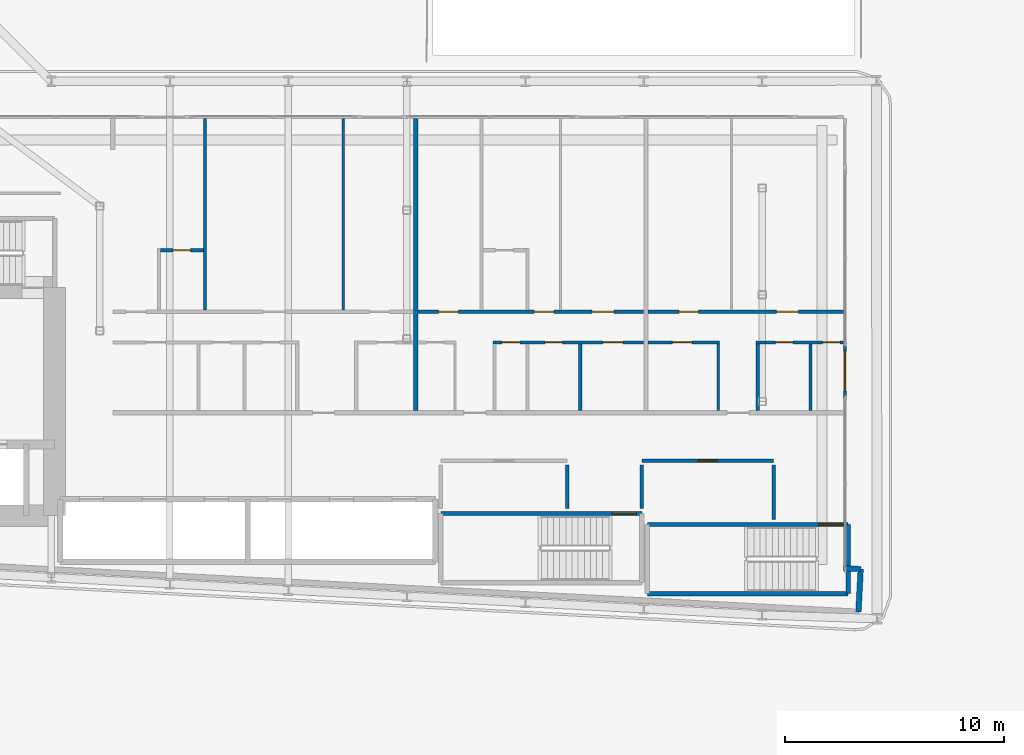
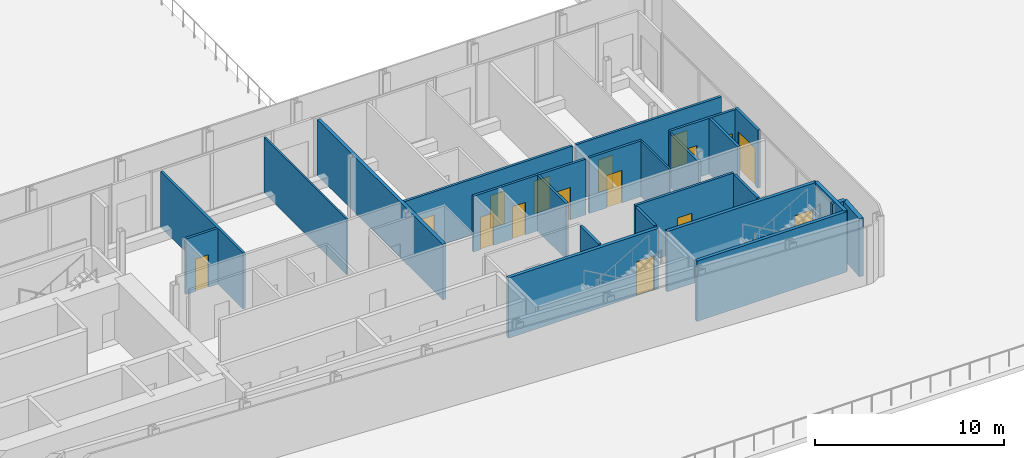
# One storey, part 15 of 27: 24 walls, 16 doors, 16 openings.
"""IFC4 building model written with IfcOpenShell, lengths in metres."""

import ifcopenshell
import ifcopenshell.guid

model = None  # the IFC model being written
_history = None  # IfcOwnerHistory: only IFC2X3 demands one
_inside = {}  # id of a spatial element -> (the spatial element, [elements in it])
_under = {}  # id of a project, library or spatial element -> (it, [spatial elements below it])
_declared = {}  # id of a project -> (the project, [libraries it declares])
_typed = {}  # id of a type object -> (the type object, [elements of that type])
_made_of = {}  # id of a material, layer set ... -> (it, [elements and type objects made of it])


def new_model(schema):
    """Start an empty IFC model of exactly this schema.

    Asked for "IFC4X3", IfcOpenShell would pick the latest addendum, in which some entities
    have other attributes; the version numbers below select the first issue.
    IFC2X3 requires an IfcOwnerHistory on every rooted entity: one is made here for all.
    """
    global model, _history
    if schema == "IFC4X3":
        model = ifcopenshell.file(schema_version=(4, 3, 0, 0))
    else:
        model = ifcopenshell.file(schema=schema)
    _inside.clear()
    _under.clear()
    _declared.clear()
    _typed.clear()
    _made_of.clear()
    _history = None
    if model.schema == "IFC2X3":
        org = make("IfcOrganization", Name="unknown")
        user = make(
            "IfcPersonAndOrganization",
            ThePerson=make("IfcPerson", FamilyName="unknown"),
            TheOrganization=org,
        )
        app = make(
            "IfcApplication",
            ApplicationDeveloper=org,
            Version="unknown",
            ApplicationFullName="unknown",
            ApplicationIdentifier="unknown",
        )
        _history = make(
            "IfcOwnerHistory",
            OwningUser=user,
            OwningApplication=app,
            ChangeAction="ADDED",
            CreationDate=0,
        )
    return model


def make(cls, **values):
    """One entity of the class cls with the attributes given. An attribute that is None is left unset."""
    return model.create_entity(
        cls, **{name: value for name, value in values.items() if value is not None}
    )


def rooted(cls, **values):
    """An entity with a GlobalId (a new one), such as an element, a storey or a relation."""
    return make(cls, GlobalId=ifcopenshell.guid.new(), OwnerHistory=_history, **values)


def si_unit(unit_type, name, prefix=None):
    """IfcSIUnit, for example si_unit("LENGTHUNIT", "METRE", prefix="MILLI")."""
    return make("IfcSIUnit", UnitType=unit_type, Prefix=prefix, Name=name)


def assignment(units):
    """IfcUnitAssignment: the units of a project."""
    return None if units is None else make("IfcUnitAssignment", Units=units)


def point(xyz):
    """IfcCartesianPoint."""
    return None if xyz is None else make("IfcCartesianPoint", Coordinates=xyz)


def direction(xyz):
    """IfcDirection."""
    return None if xyz is None else make("IfcDirection", DirectionRatios=xyz)


def frame(location, z_axis=None, x_axis=None):
    """IfcAxis2Placement3D, a coordinate frame: its origin and axes. An axis left out is left unset."""
    return make(
        "IfcAxis2Placement3D",
        Location=point(location),
        Axis=direction(z_axis),
        RefDirection=direction(x_axis),
    )


def frame_2d(location, x_axis=None):
    """IfcAxis2Placement2D, a coordinate frame in the plane: its origin and x axis."""
    return make(
        "IfcAxis2Placement2D", Location=point(location), RefDirection=direction(x_axis)
    )


def origin():
    """The frame at (0, 0, 0) with its axes left unset."""
    return frame((0.0, 0.0, 0.0))


def place(relative_to, where):
    """IfcLocalPlacement: puts the frame where relative to a parent placement (None: the world)."""
    return make(
        "IfcLocalPlacement", PlacementRelTo=relative_to, RelativePlacement=where
    )


def context(
    kind, dimensions, precision=None, world=None, true_north=None, identifier=None
):
    """IfcGeometricRepresentationContext, for example the 3D "Model" context."""
    return make(
        "IfcGeometricRepresentationContext",
        ContextIdentifier=identifier,
        ContextType=kind,
        CoordinateSpaceDimension=dimensions,
        Precision=precision,
        WorldCoordinateSystem=world,
        TrueNorth=true_north,
    )


def subcontext(parent, identifier, kind, view, scale=None):
    """IfcGeometricRepresentationSubContext, for example "Body" below "Model"."""
    return make(
        "IfcGeometricRepresentationSubContext",
        ContextIdentifier=identifier,
        ContextType=kind,
        ParentContext=parent,
        TargetScale=scale,
        TargetView=view,
    )


def project(units=None, contexts=None):
    """IfcProject with its units and contexts."""
    return rooted(
        "IfcProject",
        Name="project",
        RepresentationContexts=contexts,
        UnitsInContext=assignment(units),
    )


def spatial(cls, under=None, at=None, **own):
    """A site, building, storey or space (cls), placed at a placement, below another one or the project."""
    s = rooted(cls, ObjectPlacement=at, **own)
    if under is not None:
        _under.setdefault(under.id(), (under, []))[1].append(s)
    return s


def profile(cls, at=None, kind="AREA", **sizes):
    """A parametric profile (cls). Its sizes go by their IFC names, for example OverallWidth=200.0."""
    return make(cls, ProfileType=kind, Position=at, **sizes)


def rectangle(**sizes):
    """IfcRectangleProfileDef."""
    return profile("IfcRectangleProfileDef", **sizes)


def extrude(swept, where, along, depth):
    """IfcExtrudedAreaSolid: the profile swept, set in the frame where, extruded along a direction by depth."""
    return make(
        "IfcExtrudedAreaSolid",
        SweptArea=swept,
        Position=where,
        ExtrudedDirection=direction(along),
        Depth=depth,
    )


def shape(context_of_items, identifier, shape_type, items):
    """IfcShapeRepresentation: the items that make up one representation, for example the "Body"."""
    return make(
        "IfcShapeRepresentation",
        ContextOfItems=context_of_items,
        RepresentationIdentifier=identifier,
        RepresentationType=shape_type,
        Items=items,
    )


def source(mapping_origin, context_of_items, identifier, shape_type, items):
    """IfcRepresentationMap: a shape defined once, which mapped items show again and again."""
    return make(
        "IfcRepresentationMap",
        MappingOrigin=mapping_origin,
        MappedRepresentation=shape(context_of_items, identifier, shape_type, items),
    )


def transform(
    local_origin,
    x_axis=None,
    y_axis=None,
    z_axis=None,
    scale=None,
    scale2=None,
    scale3=None,
    uniform=True,
):
    """IfcCartesianTransformationOperator3D, or its non-uniform kind. x_axis, y_axis, z_axis: its Axis1, 2, 3."""
    if uniform:
        return make(
            "IfcCartesianTransformationOperator3D",
            Axis1=direction(x_axis),
            Axis2=direction(y_axis),
            LocalOrigin=point(local_origin),
            Scale=scale,
            Axis3=direction(z_axis),
        )
    return make(
        "IfcCartesianTransformationOperator3DnonUniform",
        Axis1=direction(x_axis),
        Axis2=direction(y_axis),
        LocalOrigin=point(local_origin),
        Scale=scale,
        Axis3=direction(z_axis),
        Scale2=scale2,
        Scale3=scale3,
    )


def mapped(mapping_source, mapping_target):
    """IfcMappedItem: shows the shape of a source again, moved by a transform."""
    return make(
        "IfcMappedItem", MappingSource=mapping_source, MappingTarget=mapping_target
    )


def material(Name=None, Category=None):
    """IfcMaterial."""
    return make("IfcMaterial", Name=Name, Category=Category)


def layer(
    of_material, thickness, ventilated=None, Name=None, Category=None, Priority=None
):
    """IfcMaterialLayer: one layer of a wall or slab, of a material (None: an air gap)."""
    return make(
        "IfcMaterialLayer",
        Material=of_material,
        LayerThickness=thickness,
        IsVentilated=ventilated,
        Name=Name,
        Category=Category,
        Priority=Priority,
    )


def layer_set(layers, Name=None):
    """IfcMaterialLayerSet."""
    return make("IfcMaterialLayerSet", MaterialLayers=layers, LayerSetName=Name)


def made_of(thing, what):
    """Note that an element or type object is made of a material, layer set ...; save() writes the relation."""
    if what is not None:
        _made_of.setdefault(what.id(), (what, []))[1].append(thing)
    return thing


def type_object(cls, material=None, **own):
    """A type object (cls), such as IfcWallType, which elements share."""
    return made_of(rooted(cls, **own), material)


def element(
    cls,
    number,
    at=None,
    inside=None,
    cuts=None,
    type_object=None,
    material=None,
    context=None,
    identifier="Body",
    shape_type=None,
    held_by="IfcProductDefinitionShape",
    body=None,
    shapes=None,
    **own,
):
    """One element of the class cls, such as IfcWall. Its Tag is "e" and its number.

    at: its placement. inside: the storey or other place that contains it. cuts: it is an
    opening in that element (IfcRelVoidsElement). A single representation is given by context,
    identifier, shape_type and body (its items); several are given by shapes. held_by: the class
    of the entity that holds the representations. save() writes the other relations.
    """
    e = rooted(cls, Tag="e%d" % number, ObjectPlacement=at, **own)
    if body is not None:
        shapes = [shape(context, identifier, shape_type, body)]
    if shapes is not None:
        e.Representation = make(held_by, Representations=shapes)
    if inside is not None:
        _inside.setdefault(inside.id(), (inside, []))[1].append(e)
    if cuts is not None:
        rooted(
            "IfcRelVoidsElement", RelatingBuildingElement=cuts, RelatedOpeningElement=e
        )
    if type_object is not None:
        _typed.setdefault(type_object.id(), (type_object, []))[1].append(e)
    return made_of(e, material)


def fill(opening, filler):
    """IfcRelFillsElement: the door or window that sits in an opening."""
    return rooted(
        "IfcRelFillsElement",
        RelatingOpeningElement=opening,
        RelatedBuildingElement=filler,
    )


def aggregate(whole, parts):
    """IfcRelAggregates: a whole, such as a stair, and the parts it consists of."""
    return rooted("IfcRelAggregates", RelatingObject=whole, RelatedObjects=parts)


def save(model, path):
    """Write the relations noted so far, then the file.

    IfcRelAggregates (storeys below a building ...), IfcRelContainedInSpatialStructure (elements
    in a storey), IfcRelDefinesByType, IfcRelAssociatesMaterial and IfcRelDeclares: one each for
    every whole, place, type object, material and project.
    """
    for whole, parts in _under.values():
        aggregate(whole, parts)
    for where, things in _inside.values():
        rooted(
            "IfcRelContainedInSpatialStructure",
            RelatedElements=things,
            RelatingStructure=where,
        )
    for kind, things in _typed.values():
        rooted("IfcRelDefinesByType", RelatedObjects=things, RelatingType=kind)
    for what, things in _made_of.values():
        rooted("IfcRelAssociatesMaterial", RelatedObjects=things, RelatingMaterial=what)
    for by, libraries in _declared.values():
        rooted("IfcRelDeclares", RelatingContext=by, RelatedDefinitions=libraries)
    model.write(path)


model = new_model("IFC4")

# Units and contexts
model_context = context("Model", 3, precision=1e-05, world=origin(), true_north=direction((0.0, 1.0)))
body_context = subcontext(model_context, "Body", "Model", "MODEL_VIEW")
ifc_project = project(units=[si_unit("LENGTHUNIT", "METRE"), si_unit("AREAUNIT", "SQUARE_METRE"), si_unit("VOLUMEUNIT", "CUBIC_METRE"), si_unit("PLANEANGLEUNIT", "RADIAN"), si_unit("MASSUNIT", "GRAM", prefix="KILO")], contexts=[model_context])

# Site, building, storey
site_placement = place(None, origin())
site = spatial("IfcSite", under=ifc_project, at=site_placement, CompositionType="ELEMENT")
building_placement = place(site_placement, origin())
building = spatial("IfcBuilding", under=site, at=building_placement, Name="Kheshtan School and Residences Tower", CompositionType="ELEMENT")
storey_placement = place(building_placement, frame((0.0, 0.0, 30.5)))
storey = spatial("IfcBuildingStorey", under=building, at=storey_placement, Name="L06", CompositionType="ELEMENT", Elevation=30.5)

# Walls
ifc_material_1 = material(Name="Concrete C40/50 with ceramic cladding and mineral wool insulation", Category="concrete")
ifc_layer_1 = layer(ifc_material_1, 0.25)
ifc_layer_set_1 = layer_set([ifc_layer_1], Name="External wall 250 ceramic clad")
wall_type_1 = type_object("IfcWallType", Name="External wall 250 ceramic clad", PredefinedType="SOLIDWALL", material=ifc_layer_set_1)
wall_1_placement = place(storey_placement, frame((89.10693359375, 23.407958984375, 0.0), z_axis=(0.0, 0.0, 1.0), x_axis=(0.998561284263, -0.053622398031, 0.0)))
element("IfcWall", 1, at=wall_1_placement, inside=storey, type_object=wall_type_1, Name="External wall L06 14", PredefinedType="SOLIDWALL", context=body_context, shape_type="SweptSolid", body=[
    extrude(rectangle(XDim=0.783203125, YDim=0.25, at=frame_2d((0.3916015625, 0.0))), origin(), (0.0, 0.0, 1.0), 3.75),
])
wall_2_placement = place(storey_placement, frame((89.888916015625, 23.365966796875, 0.0), z_axis=(0.0, 0.0, 1.0), x_axis=(-0.052841433274, -0.998602915542, 0.0)))
element("IfcWall", 2, at=wall_2_placement, inside=storey, type_object=wall_type_1, Name="External wall L06 15", PredefinedType="SOLIDWALL", context=body_context, shape_type="SweptSolid", body=[
    extrude(rectangle(XDim=1.94970703125, YDim=0.25, at=frame_2d((0.974853515625, 0.0))), origin(), (0.0, 0.0, 1.0), 3.75),
])

# Wall, opening, door
ifc_material_2 = material(Name="Aluminium frame wall with insulated infill", Category="aluminium")
ifc_layer_2 = layer(ifc_material_2, 0.14990234375)
ifc_layer_set_2 = layer_set([ifc_layer_2], Name="Glazing frame wall 150")
wall_type_2 = type_object("IfcWallType", Name="Glazing frame wall 150", PredefinedType="SOLIDWALL", material=ifc_layer_set_2)
wall_3_placement = place(storey_placement, frame((89.175048828125, 33.591064453125, 0.0), z_axis=(0.0, 0.0, 1.0), x_axis=(0.0, -1.0, 0.0)))
wall_3 = element("IfcWall", 3, at=wall_3_placement, inside=storey, type_object=wall_type_2, Name="Balcony door wall L06 13.2", PredefinedType="SOLIDWALL", context=body_context, shape_type="SweptSolid", body=[
    extrude(rectangle(XDim=2.400146484375, YDim=0.14990234375, at=frame_2d((1.2001953125, 0.0))), origin(), (0.0, 0.0, 1.0), 3.75),
])
opening_1_placement = place(wall_3_placement, frame((0.300048828125, 0.0, 0.0)))
opening_1 = element("IfcOpeningElement", 4, at=opening_1_placement, cuts=wall_3, Name="Opening BD", PredefinedType="OPENING", context=body_context, shape_type="SweptSolid", body=[
    extrude(rectangle(XDim=1.800048828125, YDim=2.39990234375, at=frame_2d((0.89990234375, 1.199951171875))), frame((0.0, 0.0849609375, 0.0), z_axis=(0.0, -1.0, 0.0), x_axis=(1.0, 0.0, 0.0)), (0.0, 0.0, 1.0), 0.169921875),
])
ifc_material_3 = material(Name="Clear low-e glass in thermally broken aluminium frame", Category="aluminium")
door_type_1 = type_object("IfcDoorType", Name="Balcony sliding door", OperationType="SLIDING_TO_LEFT", PredefinedType="DOOR", material=ifc_material_3)
shared_shape_1 = source(origin(), body_context, "Body", "SweptSolid", [
    extrude(rectangle(XDim=1.800048828125, YDim=2.39990234375, at=frame_2d((0.89990234375, 1.199951171875))), frame((0.0, 0.02490234375, 0.0), z_axis=(0.0, -1.0, 0.0), x_axis=(1.0, 0.0, 0.0)), (0.0, 0.0, 1.0), 0.050048828125),
])
door_1_placement = place(opening_1_placement, origin())
door_1 = element("IfcDoor", 5, at=door_1_placement, inside=storey, type_object=door_type_1, Name="Balcony door L06 13.2", OperationType="SLIDING_TO_LEFT", OverallHeight=2.39990234375, OverallWidth=1.800048828125, PredefinedType="DOOR", context=body_context, shape_type="MappedRepresentation", body=[
    mapped(shared_shape_1, transform((0.0, 0.0, 0.0), x_axis=(1.0, 0.0, 0.0), y_axis=(0.0, 1.0, 0.0), z_axis=(0.0, 0.0, 1.0), scale=1.0)),
])
fill(opening_1, door_1)

# Walls
ifc_material_4 = material(Name="Gypsum board on steel studs", Category="steel")
ifc_layer_3 = layer(ifc_material_4, 0.10009765625)
ifc_layer_set_3 = layer_set([ifc_layer_3], Name="Gypsum partition 100")
wall_type_3 = type_object("IfcWallType", Name="Gypsum partition 100", PredefinedType="PARTITIONING", material=ifc_layer_set_3)
wall_4_placement = place(storey_placement, frame((66.300048828125, 35.175048828125, 0.0), z_axis=(0.0, 0.0, 1.0), x_axis=(0.0, 1.0, 0.0)))
element("IfcWall", 6, at=wall_4_placement, inside=storey, type_object=wall_type_3, Name="Partition L06-055", PredefinedType="PARTITIONING", context=body_context, shape_type="SweptSolid", body=[
    extrude(rectangle(XDim=8.724853515625, YDim=0.10009765625, at=frame_2d((4.3623046875, 0.0))), origin(), (0.0, 0.0, 1.0), 3.60009765625),
])
wall_5_placement = place(storey_placement, frame((83.39990234375, 30.60009765625, 0.0), z_axis=(0.0, 0.0, 1.0), x_axis=(0.0, 1.0, 0.0)))
element("IfcWall", 7, at=wall_5_placement, inside=storey, type_object=wall_type_3, Name="Partition L06-073", PredefinedType="PARTITIONING", context=body_context, shape_type="SweptSolid", body=[
    extrude(rectangle(XDim=3.02490234375, YDim=0.10009765625, at=frame_2d((1.512451171875, 0.0))), origin(), (0.0, 0.0, 1.0), 3.60009765625),
])
ifc_material_5 = material(Name="Fire-board shaft wall system")
ifc_layer_4 = layer(ifc_material_5, 0.14990234375)
ifc_layer_set_4 = layer_set([ifc_layer_4], Name="Service room wall 150")
wall_type_4 = type_object("IfcWallType", Name="Service room wall 150", PredefinedType="PARTITIONING", material=ifc_layer_set_4)
wall_6_placement = place(storey_placement, frame((76.510009765625, 26.1201171875, 0.0), z_axis=(0.0, 0.0, 1.0), x_axis=(0.0, 1.0, 0.0)))
element("IfcWall", 8, at=wall_6_placement, inside=storey, type_object=wall_type_4, Name="Service room wall", PredefinedType="PARTITIONING", context=body_context, shape_type="SweptSolid", body=[
    extrude(rectangle(XDim=1.98486328125, YDim=0.14990234375, at=frame_2d((0.992431640625, 0.0))), origin(), (0.0, 0.0, 1.0), 3.89990234375),
])

# Wall, opening, door
wall_7_placement = place(storey_placement, frame((79.909912109375, 28.300048828125, 0.0), z_axis=(0.0, 0.0, 1.0), x_axis=(1.0, 0.0, 0.0)))
wall_7 = element("IfcWall", 9, at=wall_7_placement, inside=storey, type_object=wall_type_4, Name="Service room wall", PredefinedType="PARTITIONING", context=body_context, shape_type="SweptSolid", body=[
    extrude(rectangle(XDim=6.010009765625, YDim=0.14990234375, at=frame_2d((3.0048828125, 0.0))), origin(), (0.0, 0.0, 1.0), 3.89990234375),
])
opening_2_placement = place(wall_7_placement, frame((2.554931640625, 0.0, 0.0)))
opening_2 = element("IfcOpeningElement", 10, at=opening_2_placement, cuts=wall_7, Name="Opening SR90", PredefinedType="OPENING", context=body_context, shape_type="SweptSolid", body=[
    extrude(rectangle(XDim=0.89990234375, YDim=2.199951171875, at=frame_2d((0.449951171875, 1.10009765625))), frame((0.0, 0.0849609375, 0.0), z_axis=(0.0, -1.0, 0.0), x_axis=(1.0, 0.0, 0.0)), (0.0, 0.0, 1.0), 0.169921875),
])
ifc_material_6 = material(Name="Steel door leaf, galvanised", Category="steel")
door_type_2 = type_object("IfcDoorType", Name="Service room door 900 steel 90 min", OperationType="SINGLE_SWING_LEFT", PredefinedType="DOOR", material=ifc_material_6)
shared_shape_2 = source(origin(), body_context, "Body", "SweptSolid", [
    extrude(rectangle(XDim=0.89990234375, YDim=2.199951171875, at=frame_2d((0.449951171875, 1.10009765625))), frame((0.0, 0.02490234375, 0.0), z_axis=(0.0, -1.0, 0.0), x_axis=(1.0, 0.0, 0.0)), (0.0, 0.0, 1.0), 0.050048828125),
])
door_2_placement = place(opening_2_placement, origin())
door_2 = element("IfcDoor", 11, at=door_2_placement, inside=storey, type_object=door_type_2, Name="Service room door", OperationType="SINGLE_SWING_LEFT", OverallHeight=2.199951171875, OverallWidth=0.89990234375, PredefinedType="DOOR", context=body_context, shape_type="MappedRepresentation", body=[
    mapped(shared_shape_2, transform((0.0, 0.0, 0.0), x_axis=(1.0, 0.0, 0.0), y_axis=(0.0, 1.0, 0.0), z_axis=(0.0, 0.0, 1.0), scale=1.0)),
])
fill(opening_2, door_2)

# Walls
wall_8_placement = place(storey_placement, frame((79.909912109375, 26.1201171875, 0.0), z_axis=(0.0, 0.0, 1.0), x_axis=(0.0, 1.0, 0.0)))
element("IfcWall", 12, at=wall_8_placement, inside=storey, type_object=wall_type_4, Name="Service room wall", PredefinedType="PARTITIONING", context=body_context, shape_type="SweptSolid", body=[
    extrude(rectangle(XDim=1.98486328125, YDim=0.14990234375, at=frame_2d((0.992431640625, 0.0))), origin(), (0.0, 0.0, 1.0), 3.89990234375),
])
wall_9_placement = place(storey_placement, frame((85.919921875, 25.6201171875, 0.0), z_axis=(0.0, 0.0, 1.0), x_axis=(0.0, 1.0, 0.0)))
element("IfcWall", 13, at=wall_9_placement, inside=storey, type_object=wall_type_4, Name="Service room wall", PredefinedType="PARTITIONING", context=body_context, shape_type="SweptSolid", body=[
    extrude(rectangle(XDim=2.48486328125, YDim=0.14990234375, at=frame_2d((1.242431640625, 0.0))), origin(), (0.0, 0.0, 1.0), 3.89990234375),
])
ifc_material_7 = material(Name="Concrete C40/50", Category="concrete")
ifc_layer_5 = layer(ifc_material_7, 0.199951171875)
ifc_layer_set_5 = layer_set([ifc_layer_5], Name="Stair enclosure wall 200 Concrete C40/50")
wall_type_5 = type_object("IfcWallType", Name="Stair enclosure wall 200 Concrete C40/50", PredefinedType="SHEAR", material=ifc_layer_set_5)
wall_10_placement = place(storey_placement, frame((80.159912109375, 22.25, 0.0), z_axis=(0.0, 0.0, 1.0), x_axis=(1.0, 0.0, 0.0)))
element("IfcWall", 14, at=wall_10_placement, inside=storey, type_object=wall_type_5, Name="Stair enclosure wall ST4", PredefinedType="SHEAR", context=body_context, shape_type="SweptSolid", body=[
    extrude(rectangle(XDim=9.16015625, YDim=0.199951171875, at=frame_2d((4.580078125, 0.0))), origin(), (0.0, 0.0, 1.0), 3.89990234375),
])

# Wall, opening, door
wall_11_placement = place(storey_placement, frame((80.159912109375, 25.39990234375, 0.0), z_axis=(0.0, 0.0, 1.0), x_axis=(1.0, 0.0, 0.0)))
wall_11 = element("IfcWall", 15, at=wall_11_placement, inside=storey, type_object=wall_type_5, Name="Stair enclosure wall ST4", PredefinedType="SHEAR", context=body_context, shape_type="SweptSolid", body=[
    extrude(rectangle(XDim=9.16015625, YDim=0.199951171875, at=frame_2d((4.580078125, 0.0))), origin(), (0.0, 0.0, 1.0), 3.89990234375),
])
opening_3_placement = place(wall_11_placement, frame((7.81005859375, 0.0, 0.0)))
opening_3 = element("IfcOpeningElement", 16, at=opening_3_placement, cuts=wall_11, Name="Opening ST4D", PredefinedType="OPENING", context=body_context, shape_type="SweptSolid", body=[
    extrude(rectangle(XDim=1.10009765625, YDim=2.199951171875, at=frame_2d((0.550048828125, 1.10009765625))), frame((0.0, 0.10986328125, 0.0), z_axis=(0.0, -1.0, 0.0), x_axis=(1.0, 0.0, 0.0)), (0.0, 0.0, 1.0), 0.219970703125),
])
door_type_3 = type_object("IfcDoorType", Name="Stair door 1100 steel 90 min", OperationType="SINGLE_SWING_LEFT", PredefinedType="DOOR", material=ifc_material_6)
shared_shape_3 = source(origin(), body_context, "Body", "SweptSolid", [
    extrude(rectangle(XDim=1.10009765625, YDim=2.199951171875, at=frame_2d((0.550048828125, 1.10009765625))), frame((0.0, 0.02490234375, 0.0), z_axis=(0.0, -1.0, 0.0), x_axis=(1.0, 0.0, 0.0)), (0.0, 0.0, 1.0), 0.050048828125),
])
door_3_placement = place(opening_3_placement, origin())
door_3 = element("IfcDoor", 17, at=door_3_placement, inside=storey, type_object=door_type_3, Name="Stair ST4 door", OperationType="SINGLE_SWING_LEFT", OverallHeight=2.199951171875, OverallWidth=1.10009765625, PredefinedType="DOOR", context=body_context, shape_type="MappedRepresentation", body=[
    mapped(shared_shape_3, transform((0.0, 0.0, 0.0), x_axis=(1.0, 0.0, 0.0), y_axis=(0.0, 1.0, 0.0), z_axis=(0.0, 0.0, 1.0), scale=1.0)),
])
fill(opening_3, door_3)

# Wall
wall_12_placement = place(storey_placement, frame((89.320068359375, 22.25, 0.0), z_axis=(0.0, 0.0, 1.0), x_axis=(0.0, 1.0, 0.0)))
element("IfcWall", 18, at=wall_12_placement, inside=storey, type_object=wall_type_5, Name="Stair enclosure wall ST4", PredefinedType="SHEAR", context=body_context, shape_type="SweptSolid", body=[
    extrude(rectangle(XDim=3.14990234375, YDim=0.199951171875, at=frame_2d((1.574951171875, 0.0))), origin(), (0.0, 0.0, 1.0), 3.89990234375),
])

# Wall, opening, door
wall_13_placement = place(storey_placement, frame((70.75, 25.89990234375, 0.0), z_axis=(0.0, 0.0, 1.0), x_axis=(1.0, 0.0, 0.0)))
wall_13 = element("IfcWall", 19, at=wall_13_placement, inside=storey, type_object=wall_type_5, Name="Stair enclosure wall ST5", PredefinedType="SHEAR", context=body_context, shape_type="SweptSolid", body=[
    extrude(rectangle(XDim=9.159912109375, YDim=0.199951171875, at=frame_2d((4.580078125, 0.0))), origin(), (0.0, 0.0, 1.0), 3.89990234375),
])
opening_4_placement = place(wall_13_placement, frame((7.81005859375, 0.0, 0.0)))
opening_4 = element("IfcOpeningElement", 20, at=opening_4_placement, cuts=wall_13, Name="Opening ST5D", PredefinedType="OPENING", context=body_context, shape_type="SweptSolid", body=[
    extrude(rectangle(XDim=1.10009765625, YDim=2.199951171875, at=frame_2d((0.550048828125, 1.10009765625))), frame((0.0, 0.10986328125, 0.0), z_axis=(0.0, -1.0, 0.0), x_axis=(1.0, 0.0, 0.0)), (0.0, 0.0, 1.0), 0.219970703125),
])
door_4_placement = place(opening_4_placement, origin())
door_4 = element("IfcDoor", 21, at=door_4_placement, inside=storey, type_object=door_type_3, Name="Stair ST5 door", OperationType="SINGLE_SWING_LEFT", OverallHeight=2.199951171875, OverallWidth=1.10009765625, PredefinedType="DOOR", context=body_context, shape_type="MappedRepresentation", body=[
    mapped(shared_shape_3, transform((0.0, 0.0, 0.0), x_axis=(1.0, 0.0, 0.0), y_axis=(0.0, 1.0, 0.0), z_axis=(0.0, 0.0, 1.0), scale=1.0)),
])
fill(opening_4, door_4)

# Wall
ifc_material_8 = material(Name="Twin gypsum board on steel studs with mineral wool", Category="steel")
ifc_layer_6 = layer(ifc_material_8, 0.199951171875)
ifc_layer_set_6 = layer_set([ifc_layer_6], Name="Unit demising wall 200")
wall_type_6 = type_object("IfcWallType", Name="Unit demising wall 200", PredefinedType="PARTITIONING", material=ifc_layer_set_6)
wall_14_placement = place(storey_placement, frame((69.60009765625, 30.60009765625, 0.0), z_axis=(0.0, 0.0, 1.0), x_axis=(0.0, 1.0, 0.0)))
element("IfcWall", 22, at=wall_14_placement, inside=storey, type_object=wall_type_6, Name="Partition L06-058", PredefinedType="PARTITIONING", context=body_context, shape_type="SweptSolid", body=[
    extrude(rectangle(XDim=13.2998046875, YDim=0.199951171875, at=frame_2d((6.64990234375, 0.0))), origin(), (0.0, 0.0, 1.0), 3.60009765625),
])

# Wall, opening, door
ifc_material_9 = material(Name="Moisture-resistant gypsum board on steel studs", Category="steel")
ifc_layer_7 = layer(ifc_material_9, 0.14990234375)
ifc_layer_set_7 = layer_set([ifc_layer_7], Name="Wet-room partition 150")
wall_type_7 = type_object("IfcWallType", Name="Wet-room partition 150", PredefinedType="PARTITIONING", material=ifc_layer_set_7)
wall_15_placement = place(storey_placement, frame((57.97509765625, 37.89990234375, 0.0), z_axis=(0.0, 0.0, 1.0), x_axis=(1.0, 0.0, 0.0)))
wall_15 = element("IfcWall", 23, at=wall_15_placement, inside=storey, type_object=wall_type_7, Name="Partition L06-050", PredefinedType="PARTITIONING", context=body_context, shape_type="SweptSolid", body=[
    extrude(rectangle(XDim=1.949951171875, YDim=0.14990234375, at=frame_2d((0.97509765625, 0.0))), origin(), (0.0, 0.0, 1.0), 3.60009765625),
])
opening_5_placement = place(wall_15_placement, frame((0.574951171875, 0.0, 0.0)))
opening_5 = element("IfcOpeningElement", 24, at=opening_5_placement, cuts=wall_15, Name="Opening D06-003", PredefinedType="OPENING", context=body_context, shape_type="SweptSolid", body=[
    extrude(rectangle(XDim=0.800048828125, YDim=2.10009765625, at=frame_2d((0.39990234375, 1.050048828125))), frame((0.0, 0.0849609375, 0.0), z_axis=(0.0, -1.0, 0.0), x_axis=(1.0, 0.0, 0.0)), (0.0, 0.0, 1.0), 0.169921875),
])
ifc_material_10 = material(Name="Veneered timber door leaf", Category="wood")
door_type_4 = type_object("IfcDoorType", Name="Door 800 x 2100", OperationType="SINGLE_SWING_LEFT", PredefinedType="DOOR", material=ifc_material_10)
shared_shape_4 = source(origin(), body_context, "Body", "SweptSolid", [
    extrude(rectangle(XDim=0.800048828125, YDim=2.10009765625, at=frame_2d((0.39990234375, 1.050048828125))), frame((0.0, 0.02490234375, 0.0), z_axis=(0.0, -1.0, 0.0), x_axis=(1.0, 0.0, 0.0)), (0.0, 0.0, 1.0), 0.050048828125),
])
door_5_placement = place(opening_5_placement, origin())
door_5 = element("IfcDoor", 25, at=door_5_placement, inside=storey, type_object=door_type_4, Name="Door D06-003", OperationType="SINGLE_SWING_LEFT", OverallHeight=2.10009765625, OverallWidth=0.800048828125, PredefinedType="DOOR", context=body_context, shape_type="MappedRepresentation", body=[
    mapped(shared_shape_4, transform((0.0, 0.0, 0.0), x_axis=(1.0, 0.0, 0.0), y_axis=(0.0, 1.0, 0.0), z_axis=(0.0, 0.0, 1.0), scale=1.0)),
])
fill(opening_5, door_5)

# Wall
wall_16_placement = place(storey_placement, frame((60.0, 35.175048828125, 0.0), z_axis=(0.0, 0.0, 1.0), x_axis=(0.0, 1.0, 0.0)))
element("IfcWall", 26, at=wall_16_placement, inside=storey, type_object=wall_type_7, Name="Partition L06-052", PredefinedType="PARTITIONING", context=body_context, shape_type="SweptSolid", body=[
    extrude(rectangle(XDim=8.724853515625, YDim=0.14990234375, at=frame_2d((4.3623046875, 0.0))), origin(), (0.0, 0.0, 1.0), 3.60009765625),
])

# Wall, openings, doors
wall_17_placement = place(storey_placement, frame((69.699951171875, 35.10009765625, 0.0), z_axis=(0.0, 0.0, 1.0), x_axis=(1.0, 0.0, 0.0)))
wall_17 = element("IfcWall", 27, at=wall_17_placement, inside=storey, type_object=wall_type_7, Name="Partition L06-060", PredefinedType="PARTITIONING", context=body_context, shape_type="SweptSolid", body=[
    extrude(rectangle(XDim=10.300048828125, YDim=0.14990234375, at=frame_2d((5.14990234375, 0.0))), origin(), (0.0, 0.0, 1.0), 3.60009765625),
])
opening_6_placement = place(wall_17_placement, frame((0.949951171875, 0.0, 0.0)))
opening_6 = element("IfcOpeningElement", 28, at=opening_6_placement, cuts=wall_17, Name="Opening D06-011", PredefinedType="OPENING", context=body_context, shape_type="SweptSolid", body=[
    extrude(rectangle(XDim=0.89990234375, YDim=2.10009765625, at=frame_2d((0.449951171875, 1.050048828125))), frame((0.0, 0.0849609375, 0.0), z_axis=(0.0, -1.0, 0.0), x_axis=(1.0, 0.0, 0.0)), (0.0, 0.0, 1.0), 0.169921875),
])
opening_7_placement = place(wall_17_placement, frame((7.949951171875, 0.0, 0.0)))
opening_7 = element("IfcOpeningElement", 29, at=opening_7_placement, cuts=wall_17, Name="Opening D06-015", PredefinedType="OPENING", context=body_context, shape_type="SweptSolid", body=[
    extrude(rectangle(XDim=1.0, YDim=2.10009765625, at=frame_2d((0.5, 1.050048828125))), frame((0.0, 0.0849609375, 0.0), z_axis=(0.0, -1.0, 0.0), x_axis=(1.0, 0.0, 0.0)), (0.0, 0.0, 1.0), 0.169921875),
])
opening_8_placement = place(wall_17_placement, frame((5.300048828125, 0.0, 0.0)))
opening_8 = element("IfcOpeningElement", 30, at=opening_8_placement, cuts=wall_17, Name="Opening D06-016", PredefinedType="OPENING", context=body_context, shape_type="SweptSolid", body=[
    extrude(rectangle(XDim=0.89990234375, YDim=2.10009765625, at=frame_2d((0.449951171875, 1.050048828125))), frame((0.0, 0.0849609375, 0.0), z_axis=(0.0, -1.0, 0.0), x_axis=(1.0, 0.0, 0.0)), (0.0, 0.0, 1.0), 0.169921875),
])
door_type_5 = type_object("IfcDoorType", Name="Door 1000 x 2100", OperationType="SINGLE_SWING_LEFT", PredefinedType="DOOR", material=ifc_material_10)
shared_shape_5 = source(origin(), body_context, "Body", "SweptSolid", [
    extrude(rectangle(XDim=1.0, YDim=2.10009765625, at=frame_2d((0.5, 1.050048828125))), frame((0.0, 0.02490234375, 0.0), z_axis=(0.0, -1.0, 0.0), x_axis=(1.0, 0.0, 0.0)), (0.0, 0.0, 1.0), 0.050048828125),
])
door_6_placement = place(opening_7_placement, origin())
door_6 = element("IfcDoor", 31, at=door_6_placement, inside=storey, type_object=door_type_5, Name="Door D06-015", OperationType="SINGLE_SWING_LEFT", OverallHeight=2.10009765625, OverallWidth=1.0, PredefinedType="DOOR", context=body_context, shape_type="MappedRepresentation", body=[
    mapped(shared_shape_5, transform((0.0, 0.0, 0.0), x_axis=(1.0, 0.0, 0.0), y_axis=(0.0, 1.0, 0.0), z_axis=(0.0, 0.0, 1.0), scale=1.0)),
])
fill(opening_7, door_6)
door_type_6 = type_object("IfcDoorType", Name="Door 900 x 2100", OperationType="SINGLE_SWING_LEFT", PredefinedType="DOOR", material=ifc_material_10)
shared_shape_6 = source(origin(), body_context, "Body", "SweptSolid", [
    extrude(rectangle(XDim=0.89990234375, YDim=2.10009765625, at=frame_2d((0.449951171875, 1.050048828125))), frame((0.0, 0.02490234375, 0.0), z_axis=(0.0, -1.0, 0.0), x_axis=(1.0, 0.0, 0.0)), (0.0, 0.0, 1.0), 0.050048828125),
])
door_7_placement = place(opening_6_placement, origin())
door_7 = element("IfcDoor", 32, at=door_7_placement, inside=storey, type_object=door_type_6, Name="Door D06-011", OperationType="SINGLE_SWING_RIGHT", OverallHeight=2.10009765625, OverallWidth=0.89990234375, PredefinedType="DOOR", context=body_context, shape_type="MappedRepresentation", body=[
    mapped(shared_shape_6, transform((0.0, 0.0, 0.0), x_axis=(1.0, 0.0, 0.0), y_axis=(0.0, 1.0, 0.0), z_axis=(0.0, 0.0, 1.0), scale=1.0)),
])
fill(opening_6, door_7)
door_8_placement = place(opening_8_placement, origin())
door_8 = element("IfcDoor", 33, at=door_8_placement, inside=storey, type_object=door_type_6, Name="Door D06-016", OperationType="SINGLE_SWING_RIGHT", OverallHeight=2.10009765625, OverallWidth=0.89990234375, PredefinedType="DOOR", context=body_context, shape_type="MappedRepresentation", body=[
    mapped(shared_shape_6, transform((0.0, 0.0, 0.0), x_axis=(1.0, 0.0, 0.0), y_axis=(0.0, 1.0, 0.0), z_axis=(0.0, 0.0, 1.0), scale=1.0)),
])
fill(opening_8, door_8)

wall_18_placement = place(storey_placement, frame((73.125, 33.699951171875, 0.0), z_axis=(0.0, 0.0, 1.0), x_axis=(1.0, 0.0, 0.0)))
wall_18 = element("IfcWall", 34, at=wall_18_placement, inside=storey, type_object=wall_type_7, Name="Partition L06-064", PredefinedType="PARTITIONING", context=body_context, shape_type="SweptSolid", body=[
    extrude(rectangle(XDim=6.875, YDim=0.14990234375, at=frame_2d((3.4375, 0.0))), origin(), (0.0, 0.0, 1.0), 3.60009765625),
])
opening_9_placement = place(wall_18_placement, frame((2.375, 0.0, 0.0)))
opening_9 = element("IfcOpeningElement", 35, at=opening_9_placement, cuts=wall_18, Name="Opening D06-010", PredefinedType="OPENING", context=body_context, shape_type="SweptSolid", body=[
    extrude(rectangle(XDim=0.800048828125, YDim=2.10009765625, at=frame_2d((0.39990234375, 1.050048828125))), frame((0.0, 0.0849609375, 0.0), z_axis=(0.0, -1.0, 0.0), x_axis=(1.0, 0.0, 0.0)), (0.0, 0.0, 1.0), 0.169921875),
])
opening_10_placement = place(wall_18_placement, frame((5.02490234375, 0.0, 0.0)))
opening_10 = element("IfcOpeningElement", 36, at=opening_10_placement, cuts=wall_18, Name="Opening D06-014", PredefinedType="OPENING", context=body_context, shape_type="SweptSolid", body=[
    extrude(rectangle(XDim=0.89990234375, YDim=2.10009765625, at=frame_2d((0.449951171875, 1.050048828125))), frame((0.0, 0.0849609375, 0.0), z_axis=(0.0, -1.0, 0.0), x_axis=(1.0, 0.0, 0.0)), (0.0, 0.0, 1.0), 0.169921875),
])
opening_11_placement = place(wall_18_placement, frame((0.425048828125, 0.0, 0.0)))
opening_11 = element("IfcOpeningElement", 37, at=opening_11_placement, cuts=wall_18, Name="Opening D06-018", PredefinedType="OPENING", context=body_context, shape_type="SweptSolid", body=[
    extrude(rectangle(XDim=0.800048828125, YDim=2.10009765625, at=frame_2d((0.39990234375, 1.050048828125))), frame((0.0, 0.0849609375, 0.0), z_axis=(0.0, -1.0, 0.0), x_axis=(1.0, 0.0, 0.0)), (0.0, 0.0, 1.0), 0.169921875),
])
door_9_placement = place(opening_9_placement, origin())
door_9 = element("IfcDoor", 38, at=door_9_placement, inside=storey, type_object=door_type_4, Name="Door D06-010", OperationType="SINGLE_SWING_LEFT", OverallHeight=2.10009765625, OverallWidth=0.800048828125, PredefinedType="DOOR", context=body_context, shape_type="MappedRepresentation", body=[
    mapped(shared_shape_4, transform((0.0, 0.0, 0.0), x_axis=(1.0, 0.0, 0.0), y_axis=(0.0, 1.0, 0.0), z_axis=(0.0, 0.0, 1.0), scale=1.0)),
])
fill(opening_9, door_9)
door_10_placement = place(opening_11_placement, origin())
door_10 = element("IfcDoor", 39, at=door_10_placement, inside=storey, type_object=door_type_4, Name="Door D06-018", OperationType="SINGLE_SWING_LEFT", OverallHeight=2.10009765625, OverallWidth=0.800048828125, PredefinedType="DOOR", context=body_context, shape_type="MappedRepresentation", body=[
    mapped(shared_shape_4, transform((0.0, 0.0, 0.0), x_axis=(1.0, 0.0, 0.0), y_axis=(0.0, 1.0, 0.0), z_axis=(0.0, 0.0, 1.0), scale=1.0)),
])
fill(opening_11, door_10)
door_11_placement = place(opening_10_placement, origin())
door_11 = element("IfcDoor", 40, at=door_11_placement, inside=storey, type_object=door_type_6, Name="Door D06-014", OperationType="SINGLE_SWING_LEFT", OverallHeight=2.10009765625, OverallWidth=0.89990234375, PredefinedType="DOOR", context=body_context, shape_type="MappedRepresentation", body=[
    mapped(shared_shape_6, transform((0.0, 0.0, 0.0), x_axis=(1.0, 0.0, 0.0), y_axis=(0.0, 1.0, 0.0), z_axis=(0.0, 0.0, 1.0), scale=1.0)),
])
fill(opening_10, door_11)

# Wall
wall_19_placement = place(storey_placement, frame((77.10009765625, 30.60009765625, 0.0), z_axis=(0.0, 0.0, 1.0), x_axis=(0.0, 1.0, 0.0)))
element("IfcWall", 41, at=wall_19_placement, inside=storey, type_object=wall_type_7, Name="Partition L06-069", PredefinedType="PARTITIONING", context=body_context, shape_type="SweptSolid", body=[
    extrude(rectangle(XDim=3.02490234375, YDim=0.14990234375, at=frame_2d((1.512451171875, 0.0))), origin(), (0.0, 0.0, 1.0), 3.60009765625),
])

# Wall, opening, door
wall_20_placement = place(storey_placement, frame((80.199951171875, 33.699951171875, 0.0), z_axis=(0.0, 0.0, 1.0), x_axis=(1.0, 0.0, 0.0)))
wall_20 = element("IfcWall", 42, at=wall_20_placement, inside=storey, type_object=wall_type_7, Name="Partition L06-071", PredefinedType="PARTITIONING", context=body_context, shape_type="SweptSolid", body=[
    extrude(rectangle(XDim=3.25, YDim=0.14990234375, at=frame_2d((1.625, 0.0))), origin(), (0.0, 0.0, 1.0), 3.60009765625),
])
opening_12_placement = place(wall_20_placement, frame((1.10009765625, 0.0, 0.0)))
opening_12 = element("IfcOpeningElement", 43, at=opening_12_placement, cuts=wall_20, Name="Opening D06-022", PredefinedType="OPENING", context=body_context, shape_type="SweptSolid", body=[
    extrude(rectangle(XDim=0.89990234375, YDim=2.10009765625, at=frame_2d((0.449951171875, 1.050048828125))), frame((0.0, 0.0849609375, 0.0), z_axis=(0.0, -1.0, 0.0), x_axis=(1.0, 0.0, 0.0)), (0.0, 0.0, 1.0), 0.169921875),
])
door_12_placement = place(opening_12_placement, origin())
door_12 = element("IfcDoor", 44, at=door_12_placement, inside=storey, type_object=door_type_6, Name="Door D06-022", OperationType="SINGLE_SWING_RIGHT", OverallHeight=2.10009765625, OverallWidth=0.89990234375, PredefinedType="DOOR", context=body_context, shape_type="MappedRepresentation", body=[
    mapped(shared_shape_6, transform((0.0, 0.0, 0.0), x_axis=(1.0, 0.0, 0.0), y_axis=(0.0, 1.0, 0.0), z_axis=(0.0, 0.0, 1.0), scale=1.0)),
])
fill(opening_12, door_12)

# Wall, openings, doors
wall_21_placement = place(storey_placement, frame((80.199951171875, 35.10009765625, 0.0), z_axis=(0.0, 0.0, 1.0), x_axis=(1.0, 0.0, 0.0)))
wall_21 = element("IfcWall", 45, at=wall_21_placement, inside=storey, type_object=wall_type_7, Name="Partition L06-072", PredefinedType="PARTITIONING", context=body_context, shape_type="SweptSolid", body=[
    extrude(rectangle(XDim=8.900146484375, YDim=0.14990234375, at=frame_2d((4.4501953125, 0.0))), origin(), (0.0, 0.0, 1.0), 3.60009765625),
])
opening_13_placement = place(wall_21_placement, frame((1.39990234375, 0.0, 0.0)))
opening_13 = element("IfcOpeningElement", 46, at=opening_13_placement, cuts=wall_21, Name="Opening D06-020", PredefinedType="OPENING", context=body_context, shape_type="SweptSolid", body=[
    extrude(rectangle(XDim=0.89990234375, YDim=2.10009765625, at=frame_2d((0.449951171875, 1.050048828125))), frame((0.0, 0.0849609375, 0.0), z_axis=(0.0, -1.0, 0.0), x_axis=(1.0, 0.0, 0.0)), (0.0, 0.0, 1.0), 0.169921875),
])
opening_14_placement = place(wall_21_placement, frame((5.85009765625, 0.0, 0.0)))
opening_14 = element("IfcOpeningElement", 47, at=opening_14_placement, cuts=wall_21, Name="Opening D06-023", PredefinedType="OPENING", context=body_context, shape_type="SweptSolid", body=[
    extrude(rectangle(XDim=1.0, YDim=2.10009765625, at=frame_2d((0.5, 1.050048828125))), frame((0.0, 0.0849609375, 0.0), z_axis=(0.0, -1.0, 0.0), x_axis=(1.0, 0.0, 0.0)), (0.0, 0.0, 1.0), 0.169921875),
])
door_13_placement = place(opening_14_placement, origin())
door_13 = element("IfcDoor", 48, at=door_13_placement, inside=storey, type_object=door_type_5, Name="Door D06-023", OperationType="SINGLE_SWING_LEFT", OverallHeight=2.10009765625, OverallWidth=1.0, PredefinedType="DOOR", context=body_context, shape_type="MappedRepresentation", body=[
    mapped(shared_shape_5, transform((0.0, 0.0, 0.0), x_axis=(1.0, 0.0, 0.0), y_axis=(0.0, 1.0, 0.0), z_axis=(0.0, 0.0, 1.0), scale=1.0)),
])
fill(opening_14, door_13)
door_14_placement = place(opening_13_placement, origin())
door_14 = element("IfcDoor", 49, at=door_14_placement, inside=storey, type_object=door_type_6, Name="Door D06-020", OperationType="SINGLE_SWING_RIGHT", OverallHeight=2.10009765625, OverallWidth=0.89990234375, PredefinedType="DOOR", context=body_context, shape_type="MappedRepresentation", body=[
    mapped(shared_shape_6, transform((0.0, 0.0, 0.0), x_axis=(1.0, 0.0, 0.0), y_axis=(0.0, 1.0, 0.0), z_axis=(0.0, 0.0, 1.0), scale=1.0)),
])
fill(opening_13, door_14)

wall_22_placement = place(storey_placement, frame((85.125, 33.699951171875, 0.0), z_axis=(0.0, 0.0, 1.0), x_axis=(1.0, 0.0, 0.0)))
wall_22 = element("IfcWall", 50, at=wall_22_placement, inside=storey, type_object=wall_type_7, Name="Partition L06-075", PredefinedType="PARTITIONING", context=body_context, shape_type="SweptSolid", body=[
    extrude(rectangle(XDim=3.97509765625, YDim=0.14990234375, at=frame_2d((1.987548828125, 0.0))), origin(), (0.0, 0.0, 1.0), 3.60009765625),
])
opening_15_placement = place(wall_22_placement, frame((0.875, 0.0, 0.0)))
opening_15 = element("IfcOpeningElement", 51, at=opening_15_placement, cuts=wall_22, Name="Opening D06-019", PredefinedType="OPENING", context=body_context, shape_type="SweptSolid", body=[
    extrude(rectangle(XDim=0.800048828125, YDim=2.10009765625, at=frame_2d((0.39990234375, 1.050048828125))), frame((0.0, 0.0849609375, 0.0), z_axis=(0.0, -1.0, 0.0), x_axis=(1.0, 0.0, 0.0)), (0.0, 0.0, 1.0), 0.169921875),
])
opening_16_placement = place(wall_22_placement, frame((3.02490234375, 0.0, 0.0)))
opening_16 = element("IfcOpeningElement", 52, at=opening_16_placement, cuts=wall_22, Name="Opening D06-024", PredefinedType="OPENING", context=body_context, shape_type="SweptSolid", body=[
    extrude(rectangle(XDim=0.800048828125, YDim=2.10009765625, at=frame_2d((0.39990234375, 1.050048828125))), frame((0.0, 0.0849609375, 0.0), z_axis=(0.0, -1.0, 0.0), x_axis=(1.0, 0.0, 0.0)), (0.0, 0.0, 1.0), 0.169921875),
])
door_15_placement = place(opening_15_placement, origin())
door_15 = element("IfcDoor", 53, at=door_15_placement, inside=storey, type_object=door_type_4, Name="Door D06-019", OperationType="SINGLE_SWING_RIGHT", OverallHeight=2.10009765625, OverallWidth=0.800048828125, PredefinedType="DOOR", context=body_context, shape_type="MappedRepresentation", body=[
    mapped(shared_shape_4, transform((0.0, 0.0, 0.0), x_axis=(1.0, 0.0, 0.0), y_axis=(0.0, 1.0, 0.0), z_axis=(0.0, 0.0, 1.0), scale=1.0)),
])
fill(opening_15, door_15)
door_16_placement = place(opening_16_placement, origin())
door_16 = element("IfcDoor", 54, at=door_16_placement, inside=storey, type_object=door_type_4, Name="Door D06-024", OperationType="SINGLE_SWING_LEFT", OverallHeight=2.10009765625, OverallWidth=0.800048828125, PredefinedType="DOOR", context=body_context, shape_type="MappedRepresentation", body=[
    mapped(shared_shape_4, transform((0.0, 0.0, 0.0), x_axis=(1.0, 0.0, 0.0), y_axis=(0.0, 1.0, 0.0), z_axis=(0.0, 0.0, 1.0), scale=1.0)),
])
fill(opening_16, door_16)

# Walls
wall_23_placement = place(storey_placement, frame((85.199951171875, 30.60009765625, 0.0), z_axis=(0.0, 0.0, 1.0), x_axis=(0.0, 1.0, 0.0)))
element("IfcWall", 55, at=wall_23_placement, inside=storey, type_object=wall_type_7, Name="Partition L06-076", PredefinedType="PARTITIONING", context=body_context, shape_type="SweptSolid", body=[
    extrude(rectangle(XDim=3.02490234375, YDim=0.14990234375, at=frame_2d((1.512451171875, 0.0))), origin(), (0.0, 0.0, 1.0), 3.447021484375),
])
wall_24_placement = place(storey_placement, frame((87.60009765625, 30.60009765625, 0.0), z_axis=(0.0, 0.0, 1.0), x_axis=(0.0, 1.0, 0.0)))
element("IfcWall", 56, at=wall_24_placement, inside=storey, type_object=wall_type_7, Name="Partition L06-077", PredefinedType="PARTITIONING", context=body_context, shape_type="SweptSolid", body=[
    extrude(rectangle(XDim=3.02490234375, YDim=0.14990234375, at=frame_2d((1.512451171875, 0.0))), origin(), (0.0, 0.0, 1.0), 3.60009765625),
])

save(model, "model.ifc")
